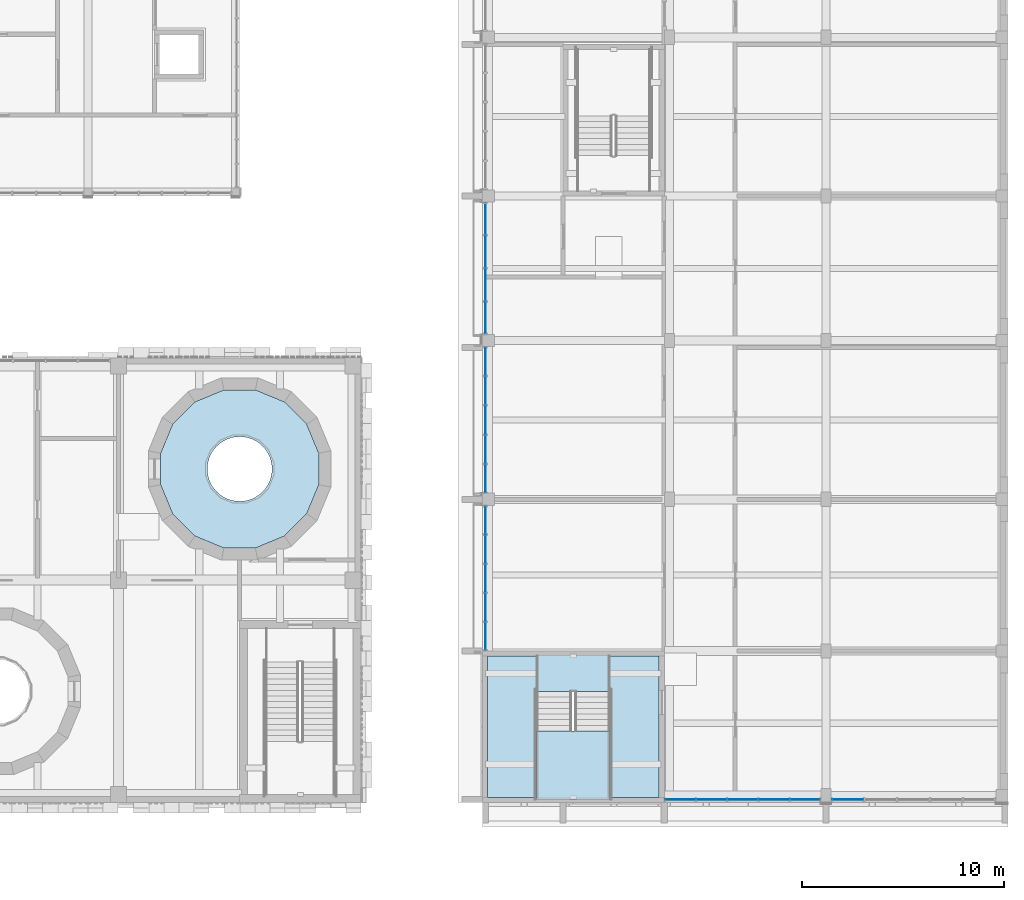
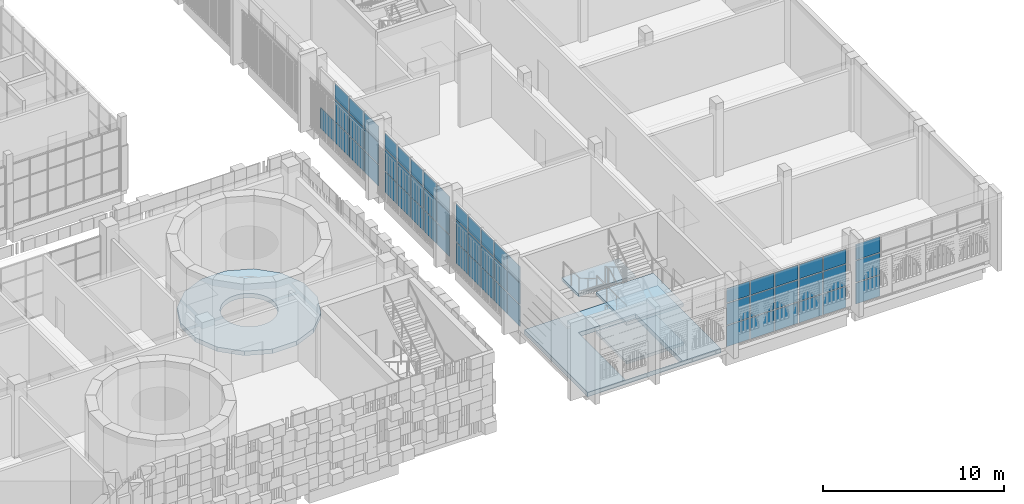
# One storey, part 59 of 125: 58 plates, 5 slabs, 6 elements without a shape of their own.
"""IFC4 building model written with IfcOpenShell, lengths in metres."""

from ifc_helpers import new_model, si_unit, direction, frame, origin, origin_2d, place, context, subcontext, project, spatial, polyline, rectangle, outline, extrude, material, layer, layer_set, type_object, element, aggregate, save


model = new_model("IFC4")

# Units and contexts
model_context = context("Model", 3, precision=1e-05, world=origin(), true_north=direction((0.0, 1.0)))
body_context = subcontext(model_context, "Body", "Model", "MODEL_VIEW")
ifc_project = project(units=[si_unit("LENGTHUNIT", "METRE"), si_unit("AREAUNIT", "SQUARE_METRE"), si_unit("VOLUMEUNIT", "CUBIC_METRE"), si_unit("PLANEANGLEUNIT", "RADIAN"), si_unit("MASSUNIT", "GRAM", prefix="KILO")], contexts=[model_context])

# Site, building, storey
site_placement = place(None, origin())
site = spatial("IfcSite", under=ifc_project, at=site_placement, CompositionType="ELEMENT")
building_placement = place(site_placement, origin())
building = spatial("IfcBuilding", under=site, at=building_placement, Name="Sun Court Science Centre", CompositionType="ELEMENT")
storey_placement = place(building_placement, frame((0.0, 0.0, 6.0)))
storey = spatial("IfcBuildingStorey", under=building, at=storey_placement, Name="L01", CompositionType="ELEMENT", Elevation=6.0)

# Slabs
ifc_material_1 = material(Name="Concrete C25/30", Category="concrete")
ifc_layer_1 = layer(ifc_material_1, 0.300048828125)
ifc_layer_set_1 = layer_set([ifc_layer_1], Name="Concrete C25/30")
slab_type_1 = type_object("IfcSlabType", Name="RC floor slab 300", PredefinedType="FLOOR", material=ifc_layer_set_1)
slab_1_placement = place(storey_placement, frame((0.0, 0.0, -0.300048828125)))
element("IfcSlab", 1, at=slab_1_placement, inside=storey, type_object=slab_type_1, Name="Cone 6 gallery floor L01", PredefinedType="FLOOR", context=body_context, shape_type="SweptSolid", body=[
    extrude(outline(polyline([(69.91162109375, 21.721923828125), (69.91162109375, 23.278076171875), (69.316162109375, 24.7158203125), (68.2158203125, 25.816162109375), (66.778076171875, 26.41162109375), (65.221923828125, 26.41162109375), (63.7841796875, 25.816162109375), (62.683837890625, 24.7158203125), (62.08837890625, 23.278076171875), (62.08837890625, 21.721923828125), (62.683837890625, 20.2841796875), (63.7841796875, 19.183837890625), (65.221923828125, 18.58837890625), (66.778076171875, 18.58837890625), (68.2158203125, 19.183837890625), (69.316162109375, 20.2841796875), (69.91162109375, 21.721923828125)]), holes=[polyline([(67.58642578125, 22.708740234375), (67.60009765625, 22.5), (67.58642578125, 22.291259765625), (67.54541015625, 22.0859375), (67.478271484375, 21.8876953125), (67.3857421875, 21.699951171875), (67.269287109375, 21.52587890625), (67.13134765625, 21.36865234375), (66.97412109375, 21.230712890625), (66.800048828125, 21.1142578125), (66.6123046875, 21.021728515625), (66.4140625, 20.95458984375), (66.208740234375, 20.91357421875), (66.0, 20.89990234375), (65.791259765625, 20.91357421875), (65.5859375, 20.95458984375), (65.3876953125, 21.021728515625), (65.199951171875, 21.1142578125), (65.02587890625, 21.230712890625), (64.86865234375, 21.36865234375), (64.730712890625, 21.52587890625), (64.6142578125, 21.699951171875), (64.521728515625, 21.8876953125), (64.45458984375, 22.0859375), (64.41357421875, 22.291259765625), (64.39990234375, 22.5), (64.41357421875, 22.708740234375), (64.45458984375, 22.9140625), (64.521728515625, 23.1123046875), (64.6142578125, 23.300048828125), (64.730712890625, 23.47412109375), (64.86865234375, 23.63134765625), (65.02587890625, 23.769287109375), (65.199951171875, 23.8857421875), (65.3876953125, 23.978271484375), (65.5859375, 24.04541015625), (65.791259765625, 24.08642578125), (66.0, 24.10009765625), (66.208740234375, 24.08642578125), (66.4140625, 24.04541015625), (66.6123046875, 23.978271484375), (66.800048828125, 23.8857421875), (66.97412109375, 23.769287109375), (67.13134765625, 23.63134765625), (67.269287109375, 23.47412109375), (67.3857421875, 23.300048828125), (67.478271484375, 23.1123046875), (67.54541015625, 22.9140625), (67.58642578125, 22.708740234375)])]), origin(), (0.0, 0.0, 1.0), 0.300048828125),
])
slab_2_placement = place(storey_placement, frame((0.0, 0.0, -0.300048828125)))
element("IfcSlab", 2, at=slab_2_placement, inside=storey, type_object=slab_type_1, Name="Stair SL1 landing slab L01", PredefinedType="FLOOR", context=body_context, shape_type="SweptSolid", body=[
    extrude(outline(polyline([(78.25, 13.25), (78.25, 6.25), (86.75, 6.25), (86.75, 13.25), (78.25, 13.25)]), holes=[polyline([(80.677001953125, 6.2548828125), (80.677001953125, 11.4970703125), (84.322998046875, 11.4970703125), (84.322998046875, 6.2548828125), (80.677001953125, 6.2548828125)])]), origin(), (0.0, 0.0, 1.0), 0.300048828125),
])

# Curtain wall, plates
ifc_material_2 = material(Name="Aluminium EN AW-6063 T6", Category="aluminium")
curtain_wall_type = type_object("IfcCurtainWallType", Name="Laboratory tall bay curtain wall 1500", PredefinedType="NOTDEFINED", material=ifc_material_2)
curtain_wall_1_placement = place(storey_placement, origin())
curtain_wall_1 = element("IfcCurtainWall", 3, at=curtain_wall_1_placement, inside=storey, type_object=curtain_wall_type, Name="Curtain wall V4 W L01 01", PredefinedType="NOTDEFINED")
ifc_material_3 = material(Name="Solar-control glass", Category="glass")
ifc_layer_2 = layer(ifc_material_3, 0.028076171875)
ifc_layer_set_2 = layer_set([ifc_layer_2], Name="Solar-control glass")
plate_type = type_object("IfcPlateType", Name="Solar-control glazing panel 8-12-8", PredefinedType="CURTAIN_PANEL", material=ifc_layer_set_2)
plate_1_placement = place(storey_placement, frame((78.14990234375, 14.235107421875, 0.06005859375), z_axis=(0.0, 0.0, 1.0), x_axis=(0.0, 1.0, 0.0)))
plate_1 = element("IfcPlate", 4, at=plate_1_placement, type_object=plate_type, Name="CW2-10 panel 1.1", PredefinedType="CURTAIN_PANEL", context=body_context, shape_type="SweptSolid", body=[
    extrude(rectangle(XDim=1.35009765625, YDim=0.028076171875, at=origin_2d()), origin(), (0.0, 0.0, 1.0), 1.409912109375),
])
plate_2_placement = place(storey_placement, frame((78.14990234375, 15.659912109375, 0.06005859375), z_axis=(0.0, 0.0, 1.0), x_axis=(0.0, 1.0, 0.0)))
plate_2 = element("IfcPlate", 5, at=plate_2_placement, type_object=plate_type, Name="CW2-10 panel 2.1", PredefinedType="CURTAIN_PANEL", context=body_context, shape_type="SweptSolid", body=[
    extrude(rectangle(XDim=1.3798828125, YDim=0.028076171875, at=origin_2d()), origin(), (0.0, 0.0, 1.0), 1.409912109375),
])
plate_3_placement = place(storey_placement, frame((78.14990234375, 17.10009765625, 0.06005859375), z_axis=(0.0, 0.0, 1.0), x_axis=(0.0, 1.0, 0.0)))
plate_3 = element("IfcPlate", 6, at=plate_3_placement, type_object=plate_type, Name="CW2-10 panel 3.1", PredefinedType="CURTAIN_PANEL", context=body_context, shape_type="SweptSolid", body=[
    extrude(rectangle(XDim=1.3798828125, YDim=0.028076171875, at=origin_2d()), origin(), (0.0, 0.0, 1.0), 1.409912109375),
])
plate_4_placement = place(storey_placement, frame((78.14990234375, 18.5400390625, 0.06005859375), z_axis=(0.0, 0.0, 1.0), x_axis=(0.0, 1.0, 0.0)))
plate_4 = element("IfcPlate", 7, at=plate_4_placement, type_object=plate_type, Name="CW2-10 panel 4.1", PredefinedType="CURTAIN_PANEL", context=body_context, shape_type="SweptSolid", body=[
    extrude(rectangle(XDim=1.3798828125, YDim=0.028076171875, at=origin_2d()), origin(), (0.0, 0.0, 1.0), 1.409912109375),
])
plate_5_placement = place(storey_placement, frame((78.14990234375, 19.965087890625, 0.06005859375), z_axis=(0.0, 0.0, 1.0), x_axis=(0.0, 1.0, 0.0)))
plate_5 = element("IfcPlate", 8, at=plate_5_placement, type_object=plate_type, Name="CW2-10 panel 5.1", PredefinedType="CURTAIN_PANEL", context=body_context, shape_type="SweptSolid", body=[
    extrude(rectangle(XDim=1.35009765625, YDim=0.028076171875, at=origin_2d()), origin(), (0.0, 0.0, 1.0), 1.409912109375),
])
plate_6_placement = place(storey_placement, frame((78.14990234375, 14.235107421875, 1.530029296875), z_axis=(0.0, 0.0, 1.0), x_axis=(0.0, 1.0, 0.0)))
plate_6 = element("IfcPlate", 9, at=plate_6_placement, type_object=plate_type, Name="CW2-10 panel 1.2", PredefinedType="CURTAIN_PANEL", context=body_context, shape_type="SweptSolid", body=[
    extrude(rectangle(XDim=1.35009765625, YDim=0.028076171875, at=origin_2d()), origin(), (0.0, 0.0, 1.0), 1.43994140625),
])
plate_7_placement = place(storey_placement, frame((78.14990234375, 15.659912109375, 1.530029296875), z_axis=(0.0, 0.0, 1.0), x_axis=(0.0, 1.0, 0.0)))
plate_7 = element("IfcPlate", 10, at=plate_7_placement, type_object=plate_type, Name="CW2-10 panel 2.2", PredefinedType="CURTAIN_PANEL", context=body_context, shape_type="SweptSolid", body=[
    extrude(rectangle(XDim=1.3798828125, YDim=0.028076171875, at=origin_2d()), origin(), (0.0, 0.0, 1.0), 1.43994140625),
])
plate_8_placement = place(storey_placement, frame((78.14990234375, 17.10009765625, 1.530029296875), z_axis=(0.0, 0.0, 1.0), x_axis=(0.0, 1.0, 0.0)))
plate_8 = element("IfcPlate", 11, at=plate_8_placement, type_object=plate_type, Name="CW2-10 panel 3.2", PredefinedType="CURTAIN_PANEL", context=body_context, shape_type="SweptSolid", body=[
    extrude(rectangle(XDim=1.3798828125, YDim=0.028076171875, at=origin_2d()), origin(), (0.0, 0.0, 1.0), 1.43994140625),
])
plate_9_placement = place(storey_placement, frame((78.14990234375, 18.5400390625, 1.530029296875), z_axis=(0.0, 0.0, 1.0), x_axis=(0.0, 1.0, 0.0)))
plate_9 = element("IfcPlate", 12, at=plate_9_placement, type_object=plate_type, Name="CW2-10 panel 4.2", PredefinedType="CURTAIN_PANEL", context=body_context, shape_type="SweptSolid", body=[
    extrude(rectangle(XDim=1.3798828125, YDim=0.028076171875, at=origin_2d()), origin(), (0.0, 0.0, 1.0), 1.43994140625),
])
plate_10_placement = place(storey_placement, frame((78.14990234375, 19.965087890625, 1.530029296875), z_axis=(0.0, 0.0, 1.0), x_axis=(0.0, 1.0, 0.0)))
plate_10 = element("IfcPlate", 13, at=plate_10_placement, type_object=plate_type, Name="CW2-10 panel 5.2", PredefinedType="CURTAIN_PANEL", context=body_context, shape_type="SweptSolid", body=[
    extrude(rectangle(XDim=1.35009765625, YDim=0.028076171875, at=origin_2d()), origin(), (0.0, 0.0, 1.0), 1.43994140625),
])
plate_11_placement = place(storey_placement, frame((78.14990234375, 14.235107421875, 3.030029296875), z_axis=(0.0, 0.0, 1.0), x_axis=(0.0, 1.0, 0.0)))
plate_11 = element("IfcPlate", 14, at=plate_11_placement, type_object=plate_type, Name="CW2-10 panel 1.3", PredefinedType="CURTAIN_PANEL", context=body_context, shape_type="SweptSolid", body=[
    extrude(rectangle(XDim=1.35009765625, YDim=0.028076171875, at=origin_2d()), origin(), (0.0, 0.0, 1.0), 1.06005859375),
])
plate_12_placement = place(storey_placement, frame((78.14990234375, 15.659912109375, 3.030029296875), z_axis=(0.0, 0.0, 1.0), x_axis=(0.0, 1.0, 0.0)))
plate_12 = element("IfcPlate", 15, at=plate_12_placement, type_object=plate_type, Name="CW2-10 panel 2.3", PredefinedType="CURTAIN_PANEL", context=body_context, shape_type="SweptSolid", body=[
    extrude(rectangle(XDim=1.3798828125, YDim=0.028076171875, at=origin_2d()), origin(), (0.0, 0.0, 1.0), 1.06005859375),
])
plate_13_placement = place(storey_placement, frame((78.14990234375, 17.10009765625, 3.030029296875), z_axis=(0.0, 0.0, 1.0), x_axis=(0.0, 1.0, 0.0)))
plate_13 = element("IfcPlate", 16, at=plate_13_placement, type_object=plate_type, Name="CW2-10 panel 3.3", PredefinedType="CURTAIN_PANEL", context=body_context, shape_type="SweptSolid", body=[
    extrude(rectangle(XDim=1.3798828125, YDim=0.028076171875, at=origin_2d()), origin(), (0.0, 0.0, 1.0), 1.06005859375),
])
plate_14_placement = place(storey_placement, frame((78.14990234375, 18.5400390625, 3.030029296875), z_axis=(0.0, 0.0, 1.0), x_axis=(0.0, 1.0, 0.0)))
plate_14 = element("IfcPlate", 17, at=plate_14_placement, type_object=plate_type, Name="CW2-10 panel 4.3", PredefinedType="CURTAIN_PANEL", context=body_context, shape_type="SweptSolid", body=[
    extrude(rectangle(XDim=1.3798828125, YDim=0.028076171875, at=origin_2d()), origin(), (0.0, 0.0, 1.0), 1.06005859375),
])
plate_15_placement = place(storey_placement, frame((78.14990234375, 19.965087890625, 3.030029296875), z_axis=(0.0, 0.0, 1.0), x_axis=(0.0, 1.0, 0.0)))
plate_15 = element("IfcPlate", 18, at=plate_15_placement, type_object=plate_type, Name="CW2-10 panel 5.3", PredefinedType="CURTAIN_PANEL", context=body_context, shape_type="SweptSolid", body=[
    extrude(rectangle(XDim=1.35009765625, YDim=0.028076171875, at=origin_2d()), origin(), (0.0, 0.0, 1.0), 1.06005859375),
])
aggregate(curtain_wall_1, [plate_1, plate_2, plate_3, plate_4, plate_5, plate_6, plate_7, plate_8, plate_9, plate_10, plate_11, plate_12, plate_13, plate_14, plate_15])

curtain_wall_2_placement = place(storey_placement, origin())
curtain_wall_2 = element("IfcCurtainWall", 19, at=curtain_wall_2_placement, inside=storey, type_object=curtain_wall_type, Name="Curtain wall V4 W L01 02", PredefinedType="NOTDEFINED")
plate_16_placement = place(storey_placement, frame((78.14990234375, 22.0400390625, 0.06005859375), z_axis=(0.0, 0.0, 1.0), x_axis=(0.0, 1.0, 0.0)))
plate_16 = element("IfcPlate", 20, at=plate_16_placement, type_object=plate_type, Name="CW2-11 panel 1.1", PredefinedType="CURTAIN_PANEL", context=body_context, shape_type="SweptSolid", body=[
    extrude(rectangle(XDim=1.360107421875, YDim=0.028076171875, at=origin_2d()), origin(), (0.0, 0.0, 1.0), 1.409912109375),
])
plate_17_placement = place(storey_placement, frame((78.14990234375, 23.47509765625, 0.06005859375), z_axis=(0.0, 0.0, 1.0), x_axis=(0.0, 1.0, 0.0)))
plate_17 = element("IfcPlate", 21, at=plate_17_placement, type_object=plate_type, Name="CW2-11 panel 2.1", PredefinedType="CURTAIN_PANEL", context=body_context, shape_type="SweptSolid", body=[
    extrude(rectangle(XDim=1.389892578125, YDim=0.028076171875, at=origin_2d()), origin(), (0.0, 0.0, 1.0), 1.409912109375),
])
plate_18_placement = place(storey_placement, frame((78.14990234375, 24.925048828125, 0.06005859375), z_axis=(0.0, 0.0, 1.0), x_axis=(0.0, 1.0, 0.0)))
plate_18 = element("IfcPlate", 22, at=plate_18_placement, type_object=plate_type, Name="CW2-11 panel 3.1", PredefinedType="CURTAIN_PANEL", context=body_context, shape_type="SweptSolid", body=[
    extrude(rectangle(XDim=1.389892578125, YDim=0.028076171875, at=origin_2d()), origin(), (0.0, 0.0, 1.0), 1.409912109375),
])
plate_19_placement = place(storey_placement, frame((78.14990234375, 26.375, 0.06005859375), z_axis=(0.0, 0.0, 1.0), x_axis=(0.0, 1.0, 0.0)))
plate_19 = element("IfcPlate", 23, at=plate_19_placement, type_object=plate_type, Name="CW2-11 panel 4.1", PredefinedType="CURTAIN_PANEL", context=body_context, shape_type="SweptSolid", body=[
    extrude(rectangle(XDim=1.389892578125, YDim=0.028076171875, at=origin_2d()), origin(), (0.0, 0.0, 1.0), 1.409912109375),
])
plate_20_placement = place(storey_placement, frame((78.14990234375, 27.81005859375, 0.06005859375), z_axis=(0.0, 0.0, 1.0), x_axis=(0.0, 1.0, 0.0)))
plate_20 = element("IfcPlate", 24, at=plate_20_placement, type_object=plate_type, Name="CW2-11 panel 5.1", PredefinedType="CURTAIN_PANEL", context=body_context, shape_type="SweptSolid", body=[
    extrude(rectangle(XDim=1.360107421875, YDim=0.028076171875, at=origin_2d()), origin(), (0.0, 0.0, 1.0), 1.409912109375),
])
plate_21_placement = place(storey_placement, frame((78.14990234375, 22.0400390625, 1.530029296875), z_axis=(0.0, 0.0, 1.0), x_axis=(0.0, 1.0, 0.0)))
plate_21 = element("IfcPlate", 25, at=plate_21_placement, type_object=plate_type, Name="CW2-11 panel 1.2", PredefinedType="CURTAIN_PANEL", context=body_context, shape_type="SweptSolid", body=[
    extrude(rectangle(XDim=1.360107421875, YDim=0.028076171875, at=origin_2d()), origin(), (0.0, 0.0, 1.0), 1.43994140625),
])
plate_22_placement = place(storey_placement, frame((78.14990234375, 23.47509765625, 1.530029296875), z_axis=(0.0, 0.0, 1.0), x_axis=(0.0, 1.0, 0.0)))
plate_22 = element("IfcPlate", 26, at=plate_22_placement, type_object=plate_type, Name="CW2-11 panel 2.2", PredefinedType="CURTAIN_PANEL", context=body_context, shape_type="SweptSolid", body=[
    extrude(rectangle(XDim=1.389892578125, YDim=0.028076171875, at=origin_2d()), origin(), (0.0, 0.0, 1.0), 1.43994140625),
])
plate_23_placement = place(storey_placement, frame((78.14990234375, 24.925048828125, 1.530029296875), z_axis=(0.0, 0.0, 1.0), x_axis=(0.0, 1.0, 0.0)))
plate_23 = element("IfcPlate", 27, at=plate_23_placement, type_object=plate_type, Name="CW2-11 panel 3.2", PredefinedType="CURTAIN_PANEL", context=body_context, shape_type="SweptSolid", body=[
    extrude(rectangle(XDim=1.389892578125, YDim=0.028076171875, at=origin_2d()), origin(), (0.0, 0.0, 1.0), 1.43994140625),
])
plate_24_placement = place(storey_placement, frame((78.14990234375, 26.375, 1.530029296875), z_axis=(0.0, 0.0, 1.0), x_axis=(0.0, 1.0, 0.0)))
plate_24 = element("IfcPlate", 28, at=plate_24_placement, type_object=plate_type, Name="CW2-11 panel 4.2", PredefinedType="CURTAIN_PANEL", context=body_context, shape_type="SweptSolid", body=[
    extrude(rectangle(XDim=1.389892578125, YDim=0.028076171875, at=origin_2d()), origin(), (0.0, 0.0, 1.0), 1.43994140625),
])
plate_25_placement = place(storey_placement, frame((78.14990234375, 27.81005859375, 1.530029296875), z_axis=(0.0, 0.0, 1.0), x_axis=(0.0, 1.0, 0.0)))
plate_25 = element("IfcPlate", 29, at=plate_25_placement, type_object=plate_type, Name="CW2-11 panel 5.2", PredefinedType="CURTAIN_PANEL", context=body_context, shape_type="SweptSolid", body=[
    extrude(rectangle(XDim=1.360107421875, YDim=0.028076171875, at=origin_2d()), origin(), (0.0, 0.0, 1.0), 1.43994140625),
])
plate_26_placement = place(storey_placement, frame((78.14990234375, 22.0400390625, 3.030029296875), z_axis=(0.0, 0.0, 1.0), x_axis=(0.0, 1.0, 0.0)))
plate_26 = element("IfcPlate", 30, at=plate_26_placement, type_object=plate_type, Name="CW2-11 panel 1.3", PredefinedType="CURTAIN_PANEL", context=body_context, shape_type="SweptSolid", body=[
    extrude(rectangle(XDim=1.360107421875, YDim=0.028076171875, at=origin_2d()), origin(), (0.0, 0.0, 1.0), 1.06005859375),
])
plate_27_placement = place(storey_placement, frame((78.14990234375, 23.47509765625, 3.030029296875), z_axis=(0.0, 0.0, 1.0), x_axis=(0.0, 1.0, 0.0)))
plate_27 = element("IfcPlate", 31, at=plate_27_placement, type_object=plate_type, Name="CW2-11 panel 2.3", PredefinedType="CURTAIN_PANEL", context=body_context, shape_type="SweptSolid", body=[
    extrude(rectangle(XDim=1.389892578125, YDim=0.028076171875, at=origin_2d()), origin(), (0.0, 0.0, 1.0), 1.06005859375),
])
plate_28_placement = place(storey_placement, frame((78.14990234375, 24.925048828125, 3.030029296875), z_axis=(0.0, 0.0, 1.0), x_axis=(0.0, 1.0, 0.0)))
plate_28 = element("IfcPlate", 32, at=plate_28_placement, type_object=plate_type, Name="CW2-11 panel 3.3", PredefinedType="CURTAIN_PANEL", context=body_context, shape_type="SweptSolid", body=[
    extrude(rectangle(XDim=1.389892578125, YDim=0.028076171875, at=origin_2d()), origin(), (0.0, 0.0, 1.0), 1.06005859375),
])
plate_29_placement = place(storey_placement, frame((78.14990234375, 26.375, 3.030029296875), z_axis=(0.0, 0.0, 1.0), x_axis=(0.0, 1.0, 0.0)))
plate_29 = element("IfcPlate", 33, at=plate_29_placement, type_object=plate_type, Name="CW2-11 panel 4.3", PredefinedType="CURTAIN_PANEL", context=body_context, shape_type="SweptSolid", body=[
    extrude(rectangle(XDim=1.389892578125, YDim=0.028076171875, at=origin_2d()), origin(), (0.0, 0.0, 1.0), 1.06005859375),
])
plate_30_placement = place(storey_placement, frame((78.14990234375, 27.81005859375, 3.030029296875), z_axis=(0.0, 0.0, 1.0), x_axis=(0.0, 1.0, 0.0)))
plate_30 = element("IfcPlate", 34, at=plate_30_placement, type_object=plate_type, Name="CW2-11 panel 5.3", PredefinedType="CURTAIN_PANEL", context=body_context, shape_type="SweptSolid", body=[
    extrude(rectangle(XDim=1.360107421875, YDim=0.028076171875, at=origin_2d()), origin(), (0.0, 0.0, 1.0), 1.06005859375),
])
aggregate(curtain_wall_2, [plate_16, plate_17, plate_18, plate_19, plate_20, plate_21, plate_22, plate_23, plate_24, plate_25, plate_26, plate_27, plate_28, plate_29, plate_30])

curtain_wall_3_placement = place(storey_placement, origin())
curtain_wall_3 = element("IfcCurtainWall", 35, at=curtain_wall_3_placement, inside=storey, type_object=curtain_wall_type, Name="Curtain wall V4 W L01 03", PredefinedType="NOTDEFINED")
plate_31_placement = place(storey_placement, frame((78.14990234375, 29.983642578125, 0.06005859375), z_axis=(0.0, 0.0, 1.0), x_axis=(0.0, 1.0, 0.0)))
plate_31 = element("IfcPlate", 36, at=plate_31_placement, type_object=plate_type, Name="CW2-12 panel 1.1", PredefinedType="CURTAIN_PANEL", context=body_context, shape_type="SweptSolid", body=[
    extrude(rectangle(XDim=1.547607421875, YDim=0.028076171875, at=origin_2d()), origin(), (0.0, 0.0, 1.0), 1.409912109375),
])
plate_32_placement = place(storey_placement, frame((78.14990234375, 31.606201171875, 0.06005859375), z_axis=(0.0, 0.0, 1.0), x_axis=(0.0, 1.0, 0.0)))
plate_32 = element("IfcPlate", 37, at=plate_32_placement, type_object=plate_type, Name="CW2-12 panel 2.1", PredefinedType="CURTAIN_PANEL", context=body_context, shape_type="SweptSolid", body=[
    extrude(rectangle(XDim=1.577392578125, YDim=0.028076171875, at=origin_2d()), origin(), (0.0, 0.0, 1.0), 1.409912109375),
])
plate_33_placement = place(storey_placement, frame((78.14990234375, 33.24365234375, 0.06005859375), z_axis=(0.0, 0.0, 1.0), x_axis=(0.0, 1.0, 0.0)))
plate_33 = element("IfcPlate", 38, at=plate_33_placement, type_object=plate_type, Name="CW2-12 panel 3.1", PredefinedType="CURTAIN_PANEL", context=body_context, shape_type="SweptSolid", body=[
    extrude(rectangle(XDim=1.577392578125, YDim=0.028076171875, at=origin_2d()), origin(), (0.0, 0.0, 1.0), 1.409912109375),
])
plate_34_placement = place(storey_placement, frame((78.14990234375, 34.8662109375, 0.06005859375), z_axis=(0.0, 0.0, 1.0), x_axis=(0.0, 1.0, 0.0)))
plate_34 = element("IfcPlate", 39, at=plate_34_placement, type_object=plate_type, Name="CW2-12 panel 4.1", PredefinedType="CURTAIN_PANEL", context=body_context, shape_type="SweptSolid", body=[
    extrude(rectangle(XDim=1.547607421875, YDim=0.028076171875, at=origin_2d()), origin(), (0.0, 0.0, 1.0), 1.409912109375),
])
plate_35_placement = place(storey_placement, frame((78.14990234375, 29.983642578125, 1.530029296875), z_axis=(0.0, 0.0, 1.0), x_axis=(0.0, 1.0, 0.0)))
plate_35 = element("IfcPlate", 40, at=plate_35_placement, type_object=plate_type, Name="CW2-12 panel 1.2", PredefinedType="CURTAIN_PANEL", context=body_context, shape_type="SweptSolid", body=[
    extrude(rectangle(XDim=1.547607421875, YDim=0.028076171875, at=origin_2d()), origin(), (0.0, 0.0, 1.0), 1.43994140625),
])
plate_36_placement = place(storey_placement, frame((78.14990234375, 31.606201171875, 1.530029296875), z_axis=(0.0, 0.0, 1.0), x_axis=(0.0, 1.0, 0.0)))
plate_36 = element("IfcPlate", 41, at=plate_36_placement, type_object=plate_type, Name="CW2-12 panel 2.2", PredefinedType="CURTAIN_PANEL", context=body_context, shape_type="SweptSolid", body=[
    extrude(rectangle(XDim=1.577392578125, YDim=0.028076171875, at=origin_2d()), origin(), (0.0, 0.0, 1.0), 1.43994140625),
])
plate_37_placement = place(storey_placement, frame((78.14990234375, 33.24365234375, 1.530029296875), z_axis=(0.0, 0.0, 1.0), x_axis=(0.0, 1.0, 0.0)))
plate_37 = element("IfcPlate", 42, at=plate_37_placement, type_object=plate_type, Name="CW2-12 panel 3.2", PredefinedType="CURTAIN_PANEL", context=body_context, shape_type="SweptSolid", body=[
    extrude(rectangle(XDim=1.577392578125, YDim=0.028076171875, at=origin_2d()), origin(), (0.0, 0.0, 1.0), 1.43994140625),
])
plate_38_placement = place(storey_placement, frame((78.14990234375, 29.983642578125, 3.030029296875), z_axis=(0.0, 0.0, 1.0), x_axis=(0.0, 1.0, 0.0)))
plate_38 = element("IfcPlate", 43, at=plate_38_placement, type_object=plate_type, Name="CW2-12 panel 1.3", PredefinedType="CURTAIN_PANEL", context=body_context, shape_type="SweptSolid", body=[
    extrude(rectangle(XDim=1.547607421875, YDim=0.028076171875, at=origin_2d()), origin(), (0.0, 0.0, 1.0), 1.06005859375),
])
plate_39_placement = place(storey_placement, frame((78.14990234375, 31.606201171875, 3.030029296875), z_axis=(0.0, 0.0, 1.0), x_axis=(0.0, 1.0, 0.0)))
plate_39 = element("IfcPlate", 44, at=plate_39_placement, type_object=plate_type, Name="CW2-12 panel 2.3", PredefinedType="CURTAIN_PANEL", context=body_context, shape_type="SweptSolid", body=[
    extrude(rectangle(XDim=1.577392578125, YDim=0.028076171875, at=origin_2d()), origin(), (0.0, 0.0, 1.0), 1.06005859375),
])
plate_40_placement = place(storey_placement, frame((78.14990234375, 33.24365234375, 3.030029296875), z_axis=(0.0, 0.0, 1.0), x_axis=(0.0, 1.0, 0.0)))
plate_40 = element("IfcPlate", 45, at=plate_40_placement, type_object=plate_type, Name="CW2-12 panel 3.3", PredefinedType="CURTAIN_PANEL", context=body_context, shape_type="SweptSolid", body=[
    extrude(rectangle(XDim=1.577392578125, YDim=0.028076171875, at=origin_2d()), origin(), (0.0, 0.0, 1.0), 1.06005859375),
])
aggregate(curtain_wall_3, [plate_31, plate_32, plate_33, plate_34, plate_35, plate_36, plate_37, plate_38, plate_39, plate_40])

curtain_wall_4_placement = place(storey_placement, origin())
curtain_wall_4 = element("IfcCurtainWall", 46, at=curtain_wall_4_placement, inside=storey, type_object=curtain_wall_type, Name="Curtain wall V4 S L01 01", PredefinedType="NOTDEFINED")
plate_41_placement = place(storey_placement, frame((96.080078125, 6.14990234375, 0.06005859375), z_axis=(0.0, 0.0, 1.0), x_axis=(-1.0, 0.0, 0.0)))
plate_41 = element("IfcPlate", 47, at=plate_41_placement, type_object=plate_type, Name="CW2-49 panel 5.1", PredefinedType="CURTAIN_PANEL", context=body_context, shape_type="SweptSolid", body=[
    extrude(rectangle(XDim=1.5400390625, YDim=0.028076171875, at=origin_2d()), origin(), (0.0, 0.0, 1.0), 1.409912109375),
])
plate_42_placement = place(storey_placement, frame((96.080078125, 6.14990234375, 1.530029296875), z_axis=(0.0, 0.0, 1.0), x_axis=(-1.0, 0.0, 0.0)))
plate_42 = element("IfcPlate", 48, at=plate_42_placement, type_object=plate_type, Name="CW2-49 panel 5.2", PredefinedType="CURTAIN_PANEL", context=body_context, shape_type="SweptSolid", body=[
    extrude(rectangle(XDim=1.5400390625, YDim=0.028076171875, at=origin_2d()), origin(), (0.0, 0.0, 1.0), 1.43994140625),
])
plate_43_placement = place(storey_placement, frame((96.080078125, 6.14990234375, 3.030029296875), z_axis=(0.0, 0.0, 1.0), x_axis=(-1.0, 0.0, 0.0)))
plate_43 = element("IfcPlate", 49, at=plate_43_placement, type_object=plate_type, Name="CW2-49 panel 5.3", PredefinedType="CURTAIN_PANEL", context=body_context, shape_type="SweptSolid", body=[
    extrude(rectangle(XDim=1.5400390625, YDim=0.028076171875, at=origin_2d()), origin(), (0.0, 0.0, 1.0), 1.06005859375),
])
aggregate(curtain_wall_4, [plate_41, plate_42, plate_43])

curtain_wall_5_placement = place(storey_placement, origin())
curtain_wall_5 = element("IfcCurtainWall", 50, at=curtain_wall_5_placement, inside=storey, type_object=curtain_wall_type, Name="Curtain wall V4 S L01 02", PredefinedType="NOTDEFINED")
plate_44_placement = place(storey_placement, frame((87.7900390625, 6.14990234375, 0.06005859375), z_axis=(0.0, 0.0, 1.0), x_axis=(-1.0, 0.0, 0.0)))
plate_44 = element("IfcPlate", 51, at=plate_44_placement, type_object=plate_type, Name="CW2-50 panel 5.1", PredefinedType="CURTAIN_PANEL", context=body_context, shape_type="SweptSolid", body=[
    extrude(rectangle(XDim=1.4599609375, YDim=0.028076171875, at=origin_2d()), origin(), (0.0, 0.0, 1.0), 1.409912109375),
])
plate_45_placement = place(storey_placement, frame((89.324951171875, 6.14990234375, 0.06005859375), z_axis=(0.0, 0.0, 1.0), x_axis=(-1.0, 0.0, 0.0)))
plate_45 = element("IfcPlate", 52, at=plate_45_placement, type_object=plate_type, Name="CW2-50 panel 4.1", PredefinedType="CURTAIN_PANEL", context=body_context, shape_type="SweptSolid", body=[
    extrude(rectangle(XDim=1.489990234375, YDim=0.028076171875, at=origin_2d()), origin(), (0.0, 0.0, 1.0), 1.409912109375),
])
plate_46_placement = place(storey_placement, frame((90.875, 6.14990234375, 0.06005859375), z_axis=(0.0, 0.0, 1.0), x_axis=(-1.0, 0.0, 0.0)))
plate_46 = element("IfcPlate", 53, at=plate_46_placement, type_object=plate_type, Name="CW2-50 panel 3.1", PredefinedType="CURTAIN_PANEL", context=body_context, shape_type="SweptSolid", body=[
    extrude(rectangle(XDim=1.489990234375, YDim=0.028076171875, at=origin_2d()), origin(), (0.0, 0.0, 1.0), 1.409912109375),
])
plate_47_placement = place(storey_placement, frame((92.425048828125, 6.14990234375, 0.06005859375), z_axis=(0.0, 0.0, 1.0), x_axis=(-1.0, 0.0, 0.0)))
plate_47 = element("IfcPlate", 54, at=plate_47_placement, type_object=plate_type, Name="CW2-50 panel 2.1", PredefinedType="CURTAIN_PANEL", context=body_context, shape_type="SweptSolid", body=[
    extrude(rectangle(XDim=1.489990234375, YDim=0.028076171875, at=origin_2d()), origin(), (0.0, 0.0, 1.0), 1.409912109375),
])
plate_48_placement = place(storey_placement, frame((93.9599609375, 6.14990234375, 0.06005859375), z_axis=(0.0, 0.0, 1.0), x_axis=(-1.0, 0.0, 0.0)))
plate_48 = element("IfcPlate", 55, at=plate_48_placement, type_object=plate_type, Name="CW2-50 panel 1.1", PredefinedType="CURTAIN_PANEL", context=body_context, shape_type="SweptSolid", body=[
    extrude(rectangle(XDim=1.4599609375, YDim=0.028076171875, at=origin_2d()), origin(), (0.0, 0.0, 1.0), 1.409912109375),
])
plate_49_placement = place(storey_placement, frame((87.7900390625, 6.14990234375, 1.530029296875), z_axis=(0.0, 0.0, 1.0), x_axis=(-1.0, 0.0, 0.0)))
plate_49 = element("IfcPlate", 56, at=plate_49_placement, type_object=plate_type, Name="CW2-50 panel 5.2", PredefinedType="CURTAIN_PANEL", context=body_context, shape_type="SweptSolid", body=[
    extrude(rectangle(XDim=1.4599609375, YDim=0.028076171875, at=origin_2d()), origin(), (0.0, 0.0, 1.0), 1.43994140625),
])
plate_50_placement = place(storey_placement, frame((89.324951171875, 6.14990234375, 1.530029296875), z_axis=(0.0, 0.0, 1.0), x_axis=(-1.0, 0.0, 0.0)))
plate_50 = element("IfcPlate", 57, at=plate_50_placement, type_object=plate_type, Name="CW2-50 panel 4.2", PredefinedType="CURTAIN_PANEL", context=body_context, shape_type="SweptSolid", body=[
    extrude(rectangle(XDim=1.489990234375, YDim=0.028076171875, at=origin_2d()), origin(), (0.0, 0.0, 1.0), 1.43994140625),
])
plate_51_placement = place(storey_placement, frame((90.875, 6.14990234375, 1.530029296875), z_axis=(0.0, 0.0, 1.0), x_axis=(-1.0, 0.0, 0.0)))
plate_51 = element("IfcPlate", 58, at=plate_51_placement, type_object=plate_type, Name="CW2-50 panel 3.2", PredefinedType="CURTAIN_PANEL", context=body_context, shape_type="SweptSolid", body=[
    extrude(rectangle(XDim=1.489990234375, YDim=0.028076171875, at=origin_2d()), origin(), (0.0, 0.0, 1.0), 1.43994140625),
])
plate_52_placement = place(storey_placement, frame((92.425048828125, 6.14990234375, 1.530029296875), z_axis=(0.0, 0.0, 1.0), x_axis=(-1.0, 0.0, 0.0)))
plate_52 = element("IfcPlate", 59, at=plate_52_placement, type_object=plate_type, Name="CW2-50 panel 2.2", PredefinedType="CURTAIN_PANEL", context=body_context, shape_type="SweptSolid", body=[
    extrude(rectangle(XDim=1.489990234375, YDim=0.028076171875, at=origin_2d()), origin(), (0.0, 0.0, 1.0), 1.43994140625),
])
plate_53_placement = place(storey_placement, frame((93.9599609375, 6.14990234375, 1.530029296875), z_axis=(0.0, 0.0, 1.0), x_axis=(-1.0, 0.0, 0.0)))
plate_53 = element("IfcPlate", 60, at=plate_53_placement, type_object=plate_type, Name="CW2-50 panel 1.2", PredefinedType="CURTAIN_PANEL", context=body_context, shape_type="SweptSolid", body=[
    extrude(rectangle(XDim=1.4599609375, YDim=0.028076171875, at=origin_2d()), origin(), (0.0, 0.0, 1.0), 1.43994140625),
])
plate_54_placement = place(storey_placement, frame((87.7900390625, 6.14990234375, 3.030029296875), z_axis=(0.0, 0.0, 1.0), x_axis=(-1.0, 0.0, 0.0)))
plate_54 = element("IfcPlate", 61, at=plate_54_placement, type_object=plate_type, Name="CW2-50 panel 5.3", PredefinedType="CURTAIN_PANEL", context=body_context, shape_type="SweptSolid", body=[
    extrude(rectangle(XDim=1.4599609375, YDim=0.028076171875, at=origin_2d()), origin(), (0.0, 0.0, 1.0), 0.9599609375),
])
plate_55_placement = place(storey_placement, frame((89.324951171875, 6.14990234375, 3.030029296875), z_axis=(0.0, 0.0, 1.0), x_axis=(-1.0, 0.0, 0.0)))
plate_55 = element("IfcPlate", 62, at=plate_55_placement, type_object=plate_type, Name="CW2-50 panel 4.3", PredefinedType="CURTAIN_PANEL", context=body_context, shape_type="SweptSolid", body=[
    extrude(rectangle(XDim=1.489990234375, YDim=0.028076171875, at=origin_2d()), origin(), (0.0, 0.0, 1.0), 0.9599609375),
])
plate_56_placement = place(storey_placement, frame((90.875, 6.14990234375, 3.030029296875), z_axis=(0.0, 0.0, 1.0), x_axis=(-1.0, 0.0, 0.0)))
plate_56 = element("IfcPlate", 63, at=plate_56_placement, type_object=plate_type, Name="CW2-50 panel 3.3", PredefinedType="CURTAIN_PANEL", context=body_context, shape_type="SweptSolid", body=[
    extrude(rectangle(XDim=1.489990234375, YDim=0.028076171875, at=origin_2d()), origin(), (0.0, 0.0, 1.0), 0.9599609375),
])
plate_57_placement = place(storey_placement, frame((92.425048828125, 6.14990234375, 3.030029296875), z_axis=(0.0, 0.0, 1.0), x_axis=(-1.0, 0.0, 0.0)))
plate_57 = element("IfcPlate", 64, at=plate_57_placement, type_object=plate_type, Name="CW2-50 panel 2.3", PredefinedType="CURTAIN_PANEL", context=body_context, shape_type="SweptSolid", body=[
    extrude(rectangle(XDim=1.489990234375, YDim=0.028076171875, at=origin_2d()), origin(), (0.0, 0.0, 1.0), 0.9599609375),
])
plate_58_placement = place(storey_placement, frame((93.9599609375, 6.14990234375, 3.030029296875), z_axis=(0.0, 0.0, 1.0), x_axis=(-1.0, 0.0, 0.0)))
plate_58 = element("IfcPlate", 65, at=plate_58_placement, type_object=plate_type, Name="CW2-50 panel 1.3", PredefinedType="CURTAIN_PANEL", context=body_context, shape_type="SweptSolid", body=[
    extrude(rectangle(XDim=1.4599609375, YDim=0.028076171875, at=origin_2d()), origin(), (0.0, 0.0, 1.0), 0.9599609375),
])
aggregate(curtain_wall_5, [plate_44, plate_45, plate_46, plate_47, plate_48, plate_49, plate_50, plate_51, plate_52, plate_53, plate_54, plate_55, plate_56, plate_57, plate_58])

# Stair, slabs
ifc_material_4 = material(Name="Concrete C25/30", Category="concrete")
stair_type = type_object("IfcStairType", Name="Stair 1500 enclosed half-turn", PredefinedType="HALF_TURN_STAIR", material=ifc_material_4)
stair_placement = place(storey_placement, origin())
stair = element("IfcStair", 66, at=stair_placement, inside=storey, type_object=stair_type, Name="L01 Stair SL1", PredefinedType="HALF_TURN_STAIR")
ifc_material_5 = material(Name="Concrete C25/30", Category="concrete")
ifc_layer_3 = layer(ifc_material_5, 0.199951171875)
ifc_layer_set_3 = layer_set([ifc_layer_3], Name="Concrete C25/30")
slab_type_2 = type_object("IfcSlabType", Name="Stair landing 200", PredefinedType="LANDING", material=ifc_layer_set_3)
slab_3_placement = place(storey_placement, frame((0.0, 0.0, 1.112548828125)))
slab_3 = element("IfcSlab", 67, at=slab_3_placement, type_object=slab_type_2, Name="SL1 landing 1", PredefinedType="LANDING", context=body_context, shape_type="SweptSolid", body=[
    extrude(outline(polyline([(80.677001953125, 9.5458984375), (80.677001953125, 6.14990234375), (84.322998046875, 6.14990234375), (84.322998046875, 9.5458984375), (80.677001953125, 9.5458984375)])), origin(), (0.0, 0.0, 1.0), 0.199951171875),
])
slab_4_placement = place(storey_placement, frame((0.0, 0.0, 2.425048828125)))
slab_4 = element("IfcSlab", 68, at=slab_4_placement, type_object=slab_type_2, Name="SL1 landing 2", PredefinedType="LANDING", context=body_context, shape_type="SweptSolid", body=[
    extrude(outline(polyline([(80.677001953125, 13.35009765625), (80.677001953125, 11.498046875), (84.322998046875, 11.498046875), (84.322998046875, 13.35009765625), (80.677001953125, 13.35009765625)])), origin(), (0.0, 0.0, 1.0), 0.199951171875),
])
slab_5_placement = place(storey_placement, frame((0.0, 0.0, 3.737548828125)))
slab_5 = element("IfcSlab", 69, at=slab_5_placement, type_object=slab_type_2, Name="SL1 landing 3", PredefinedType="LANDING", context=body_context, shape_type="SweptSolid", body=[
    extrude(outline(polyline([(80.677001953125, 9.5458984375), (80.677001953125, 6.14990234375), (84.322998046875, 6.14990234375), (84.322998046875, 9.5458984375), (80.677001953125, 9.5458984375)])), origin(), (0.0, 0.0, 1.0), 0.199951171875),
])
aggregate(stair, [slab_3, slab_4, slab_5])

save(model, "model.ifc")
